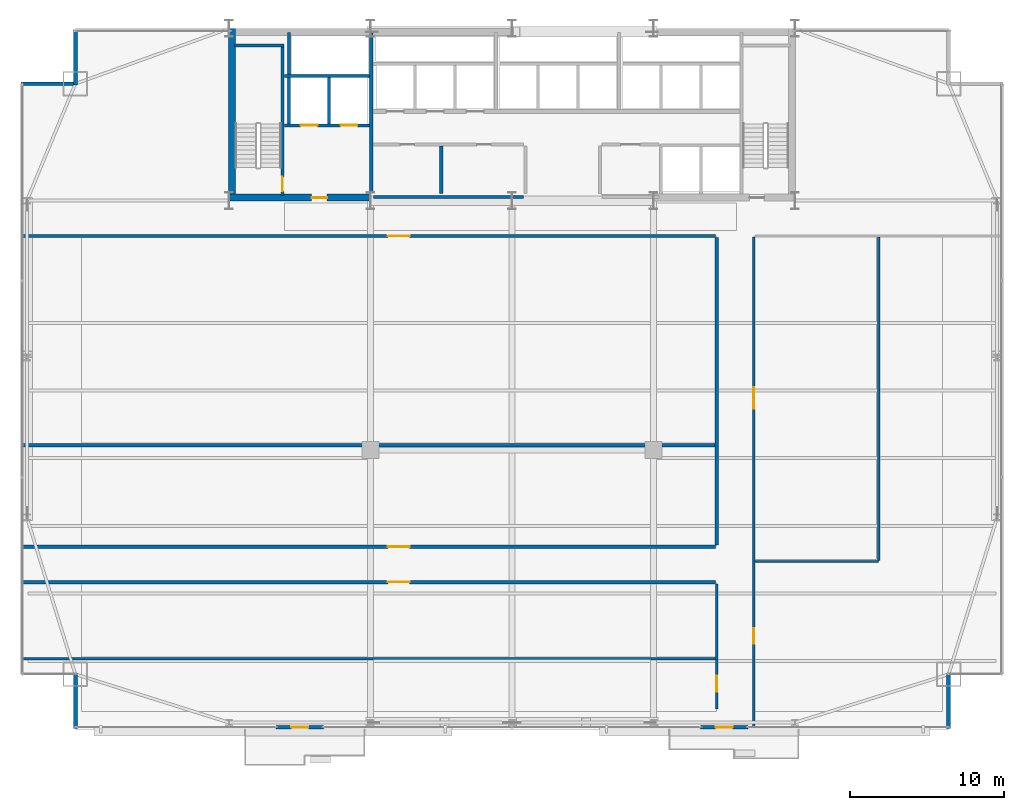
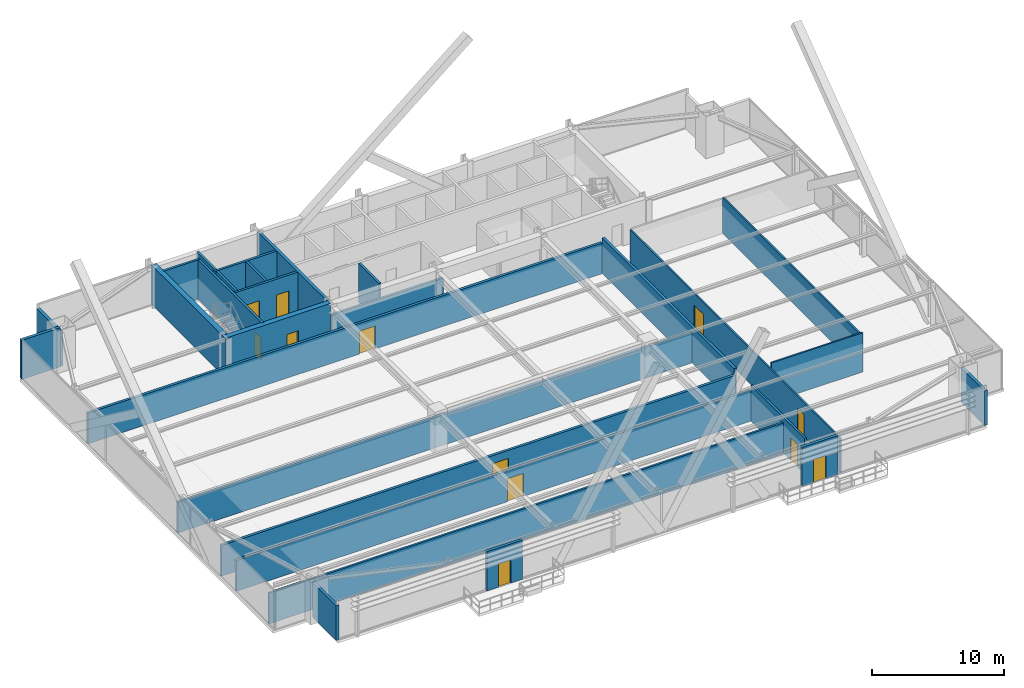
# One storey, part 28 of 32: 27 walls, 12 doors, 12 openings.
"""IFC4 building model written with IfcOpenShell, lengths in metres."""

import ifcopenshell
import ifcopenshell.guid

model = None  # the IFC model being written
_history = None  # IfcOwnerHistory: only IFC2X3 demands one
_inside = {}  # id of a spatial element -> (the spatial element, [elements in it])
_under = {}  # id of a project, library or spatial element -> (it, [spatial elements below it])
_declared = {}  # id of a project -> (the project, [libraries it declares])
_typed = {}  # id of a type object -> (the type object, [elements of that type])
_made_of = {}  # id of a material, layer set ... -> (it, [elements and type objects made of it])


def new_model(schema):
    """Start an empty IFC model of exactly this schema.

    Asked for "IFC4X3", IfcOpenShell would pick the latest addendum, in which some entities
    have other attributes; the version numbers below select the first issue.
    IFC2X3 requires an IfcOwnerHistory on every rooted entity: one is made here for all.
    """
    global model, _history
    if schema == "IFC4X3":
        model = ifcopenshell.file(schema_version=(4, 3, 0, 0))
    else:
        model = ifcopenshell.file(schema=schema)
    _inside.clear()
    _under.clear()
    _declared.clear()
    _typed.clear()
    _made_of.clear()
    _history = None
    if model.schema == "IFC2X3":
        org = make("IfcOrganization", Name="unknown")
        user = make(
            "IfcPersonAndOrganization",
            ThePerson=make("IfcPerson", FamilyName="unknown"),
            TheOrganization=org,
        )
        app = make(
            "IfcApplication",
            ApplicationDeveloper=org,
            Version="unknown",
            ApplicationFullName="unknown",
            ApplicationIdentifier="unknown",
        )
        _history = make(
            "IfcOwnerHistory",
            OwningUser=user,
            OwningApplication=app,
            ChangeAction="ADDED",
            CreationDate=0,
        )
    return model


def make(cls, **values):
    """One entity of the class cls with the attributes given. An attribute that is None is left unset."""
    return model.create_entity(
        cls, **{name: value for name, value in values.items() if value is not None}
    )


def rooted(cls, **values):
    """An entity with a GlobalId (a new one), such as an element, a storey or a relation."""
    return make(cls, GlobalId=ifcopenshell.guid.new(), OwnerHistory=_history, **values)


def si_unit(unit_type, name, prefix=None):
    """IfcSIUnit, for example si_unit("LENGTHUNIT", "METRE", prefix="MILLI")."""
    return make("IfcSIUnit", UnitType=unit_type, Prefix=prefix, Name=name)


def assignment(units):
    """IfcUnitAssignment: the units of a project."""
    return None if units is None else make("IfcUnitAssignment", Units=units)


def point(xyz):
    """IfcCartesianPoint."""
    return None if xyz is None else make("IfcCartesianPoint", Coordinates=xyz)


def direction(xyz):
    """IfcDirection."""
    return None if xyz is None else make("IfcDirection", DirectionRatios=xyz)


def frame(location, z_axis=None, x_axis=None):
    """IfcAxis2Placement3D, a coordinate frame: its origin and axes. An axis left out is left unset."""
    return make(
        "IfcAxis2Placement3D",
        Location=point(location),
        Axis=direction(z_axis),
        RefDirection=direction(x_axis),
    )


def frame_2d(location, x_axis=None):
    """IfcAxis2Placement2D, a coordinate frame in the plane: its origin and x axis."""
    return make(
        "IfcAxis2Placement2D", Location=point(location), RefDirection=direction(x_axis)
    )


def origin():
    """The frame at (0, 0, 0) with its axes left unset."""
    return frame((0.0, 0.0, 0.0))


def place(relative_to, where):
    """IfcLocalPlacement: puts the frame where relative to a parent placement (None: the world)."""
    return make(
        "IfcLocalPlacement", PlacementRelTo=relative_to, RelativePlacement=where
    )


def context(
    kind, dimensions, precision=None, world=None, true_north=None, identifier=None
):
    """IfcGeometricRepresentationContext, for example the 3D "Model" context."""
    return make(
        "IfcGeometricRepresentationContext",
        ContextIdentifier=identifier,
        ContextType=kind,
        CoordinateSpaceDimension=dimensions,
        Precision=precision,
        WorldCoordinateSystem=world,
        TrueNorth=true_north,
    )


def subcontext(parent, identifier, kind, view, scale=None):
    """IfcGeometricRepresentationSubContext, for example "Body" below "Model"."""
    return make(
        "IfcGeometricRepresentationSubContext",
        ContextIdentifier=identifier,
        ContextType=kind,
        ParentContext=parent,
        TargetScale=scale,
        TargetView=view,
    )


def project(units=None, contexts=None):
    """IfcProject with its units and contexts."""
    return rooted(
        "IfcProject",
        Name="project",
        RepresentationContexts=contexts,
        UnitsInContext=assignment(units),
    )


def spatial(cls, under=None, at=None, **own):
    """A site, building, storey or space (cls), placed at a placement, below another one or the project."""
    s = rooted(cls, ObjectPlacement=at, **own)
    if under is not None:
        _under.setdefault(under.id(), (under, []))[1].append(s)
    return s


def profile(cls, at=None, kind="AREA", **sizes):
    """A parametric profile (cls). Its sizes go by their IFC names, for example OverallWidth=200.0."""
    return make(cls, ProfileType=kind, Position=at, **sizes)


def rectangle(**sizes):
    """IfcRectangleProfileDef."""
    return profile("IfcRectangleProfileDef", **sizes)


def extrude(swept, where, along, depth):
    """IfcExtrudedAreaSolid: the profile swept, set in the frame where, extruded along a direction by depth."""
    return make(
        "IfcExtrudedAreaSolid",
        SweptArea=swept,
        Position=where,
        ExtrudedDirection=direction(along),
        Depth=depth,
    )


def shape(context_of_items, identifier, shape_type, items):
    """IfcShapeRepresentation: the items that make up one representation, for example the "Body"."""
    return make(
        "IfcShapeRepresentation",
        ContextOfItems=context_of_items,
        RepresentationIdentifier=identifier,
        RepresentationType=shape_type,
        Items=items,
    )


def source(mapping_origin, context_of_items, identifier, shape_type, items):
    """IfcRepresentationMap: a shape defined once, which mapped items show again and again."""
    return make(
        "IfcRepresentationMap",
        MappingOrigin=mapping_origin,
        MappedRepresentation=shape(context_of_items, identifier, shape_type, items),
    )


def transform(
    local_origin,
    x_axis=None,
    y_axis=None,
    z_axis=None,
    scale=None,
    scale2=None,
    scale3=None,
    uniform=True,
):
    """IfcCartesianTransformationOperator3D, or its non-uniform kind. x_axis, y_axis, z_axis: its Axis1, 2, 3."""
    if uniform:
        return make(
            "IfcCartesianTransformationOperator3D",
            Axis1=direction(x_axis),
            Axis2=direction(y_axis),
            LocalOrigin=point(local_origin),
            Scale=scale,
            Axis3=direction(z_axis),
        )
    return make(
        "IfcCartesianTransformationOperator3DnonUniform",
        Axis1=direction(x_axis),
        Axis2=direction(y_axis),
        LocalOrigin=point(local_origin),
        Scale=scale,
        Axis3=direction(z_axis),
        Scale2=scale2,
        Scale3=scale3,
    )


def mapped(mapping_source, mapping_target):
    """IfcMappedItem: shows the shape of a source again, moved by a transform."""
    return make(
        "IfcMappedItem", MappingSource=mapping_source, MappingTarget=mapping_target
    )


def material(Name=None, Category=None):
    """IfcMaterial."""
    return make("IfcMaterial", Name=Name, Category=Category)


def layer(
    of_material, thickness, ventilated=None, Name=None, Category=None, Priority=None
):
    """IfcMaterialLayer: one layer of a wall or slab, of a material (None: an air gap)."""
    return make(
        "IfcMaterialLayer",
        Material=of_material,
        LayerThickness=thickness,
        IsVentilated=ventilated,
        Name=Name,
        Category=Category,
        Priority=Priority,
    )


def layer_set(layers, Name=None):
    """IfcMaterialLayerSet."""
    return make("IfcMaterialLayerSet", MaterialLayers=layers, LayerSetName=Name)


def made_of(thing, what):
    """Note that an element or type object is made of a material, layer set ...; save() writes the relation."""
    if what is not None:
        _made_of.setdefault(what.id(), (what, []))[1].append(thing)
    return thing


def type_object(cls, material=None, **own):
    """A type object (cls), such as IfcWallType, which elements share."""
    return made_of(rooted(cls, **own), material)


def type_shapes(of_type, sources):
    """Give a type object the sources (RepresentationMaps) that its elements show as mapped items."""
    of_type.RepresentationMaps = sources


def element(
    cls,
    number,
    at=None,
    inside=None,
    cuts=None,
    type_object=None,
    material=None,
    context=None,
    identifier="Body",
    shape_type=None,
    held_by="IfcProductDefinitionShape",
    body=None,
    shapes=None,
    **own,
):
    """One element of the class cls, such as IfcWall. Its Tag is "e" and its number.

    at: its placement. inside: the storey or other place that contains it. cuts: it is an
    opening in that element (IfcRelVoidsElement). A single representation is given by context,
    identifier, shape_type and body (its items); several are given by shapes. held_by: the class
    of the entity that holds the representations. save() writes the other relations.
    """
    e = rooted(cls, Tag="e%d" % number, ObjectPlacement=at, **own)
    if body is not None:
        shapes = [shape(context, identifier, shape_type, body)]
    if shapes is not None:
        e.Representation = make(held_by, Representations=shapes)
    if inside is not None:
        _inside.setdefault(inside.id(), (inside, []))[1].append(e)
    if cuts is not None:
        rooted(
            "IfcRelVoidsElement", RelatingBuildingElement=cuts, RelatedOpeningElement=e
        )
    if type_object is not None:
        _typed.setdefault(type_object.id(), (type_object, []))[1].append(e)
    return made_of(e, material)


def fill(opening, filler):
    """IfcRelFillsElement: the door or window that sits in an opening."""
    return rooted(
        "IfcRelFillsElement",
        RelatingOpeningElement=opening,
        RelatedBuildingElement=filler,
    )


def aggregate(whole, parts):
    """IfcRelAggregates: a whole, such as a stair, and the parts it consists of."""
    return rooted("IfcRelAggregates", RelatingObject=whole, RelatedObjects=parts)


def save(model, path):
    """Write the relations noted so far, then the file.

    IfcRelAggregates (storeys below a building ...), IfcRelContainedInSpatialStructure (elements
    in a storey), IfcRelDefinesByType, IfcRelAssociatesMaterial and IfcRelDeclares: one each for
    every whole, place, type object, material and project.
    """
    for whole, parts in _under.values():
        aggregate(whole, parts)
    for where, things in _inside.values():
        rooted(
            "IfcRelContainedInSpatialStructure",
            RelatedElements=things,
            RelatingStructure=where,
        )
    for kind, things in _typed.values():
        rooted("IfcRelDefinesByType", RelatedObjects=things, RelatingType=kind)
    for what, things in _made_of.values():
        rooted("IfcRelAssociatesMaterial", RelatedObjects=things, RelatingMaterial=what)
    for by, libraries in _declared.values():
        rooted("IfcRelDeclares", RelatingContext=by, RelatedDefinitions=libraries)
    model.write(path)


model = new_model("IFC4")

# Units and contexts
model_context = context("Model", 3, precision=1e-05, world=origin(), true_north=direction((0.0, 1.0)))
body_context = subcontext(model_context, "Body", "Model", "MODEL_VIEW")
ifc_project = project(units=[si_unit("LENGTHUNIT", "METRE"), si_unit("AREAUNIT", "SQUARE_METRE"), si_unit("VOLUMEUNIT", "CUBIC_METRE"), si_unit("PLANEANGLEUNIT", "RADIAN"), si_unit("MASSUNIT", "GRAM", prefix="KILO")], contexts=[model_context])

# Site, building, storey
site_placement = place(None, origin())
site = spatial("IfcSite", under=ifc_project, at=site_placement, CompositionType="ELEMENT")
building_placement = place(site_placement, origin())
building = spatial("IfcBuilding", under=site, at=building_placement, Name="Varnel Quay Broadcast Tower", CompositionType="ELEMENT")
storey_placement = place(building_placement, frame((0.0, 0.0, 43.199951171875)))
storey = spatial("IfcBuildingStorey", under=building, at=storey_placement, Name="L09", CompositionType="ELEMENT", Elevation=43.199951171875)

# Wall, opening, door
ifc_material_1 = material(Name="Concrete CSA A23.3 C50/60", Category="concrete")
ifc_layer_1 = layer(ifc_material_1, 0.199951171875, Name="Concrete CSA A23.3 C50/60")
ifc_layer_set_1 = layer_set([ifc_layer_1], Name="Concrete CSA A23.3 C50/60")
wall_type_1 = type_object("IfcWallType", Name="Wall_CoreShaftShear200", PredefinedType="SHEAR", material=ifc_layer_set_1)
wall_1_placement = place(storey_placement, frame((19.080078125, 35.949951171875, 0.0), z_axis=(0.0, 0.0, 1.0), x_axis=(0.0, 1.0, 0.0)))
wall_1 = element("IfcWall", 1, at=wall_1_placement, inside=storey, type_object=wall_type_1, Name="L09 Stair 1 East Structural Wall", PredefinedType="SHEAR", context=body_context, shape_type="SweptSolid", body=[
    extrude(rectangle(XDim=9.650146484375, YDim=0.199951171875, at=frame_2d((4.8251953125, 0.0))), origin(), (0.0, 0.0, 1.0), 3.650146484375),
])
opening_1_placement = place(wall_1_placement, frame((0.25, 0.0, 0.0)))
opening_1 = element("IfcOpeningElement", 2, at=opening_1_placement, cuts=wall_1, Name="Opening D-L09-S1", PredefinedType="OPENING", context=body_context, shape_type="SweptSolid", body=[
    extrude(rectangle(XDim=0.949951171875, YDim=2.10009765625, at=frame_2d((0.47509765625, 1.050048828125))), frame((0.0, 0.10986328125, 0.0), z_axis=(0.0, -1.0, 0.0), x_axis=(1.0, 0.0, 0.0)), (0.0, 0.0, 1.0), 0.219970703125),
])
ifc_material_2 = material(Name="Insulated Fire-Rated Hollow Steel Door", Category="steel")
door_type_1 = type_object("IfcDoorType", Name="Door_FireStair950", OperationType="NOTDEFINED", PredefinedType="DOOR", material=ifc_material_2)
shared_shape_1 = source(origin(), body_context, "Body", "SweptSolid", [
    extrude(rectangle(XDim=0.949951171875, YDim=2.10009765625, at=frame_2d((0.47509765625, 1.050048828125))), frame((0.0, 0.02490234375, 0.0), z_axis=(0.0, -1.0, 0.0), x_axis=(1.0, 0.0, 0.0)), (0.0, 0.0, 1.0), 0.050048828125),
])
type_shapes(door_type_1, [shared_shape_1])
door_1_placement = place(opening_1_placement, origin())
door_1 = element("IfcDoor", 3, at=door_1_placement, inside=storey, type_object=door_type_1, Name="L09 Stair 1 Fire Door", OperationType="SINGLE_SWING_RIGHT", OverallHeight=2.10009765625, OverallWidth=0.949951171875, PredefinedType="DOOR", context=body_context, shape_type="MappedRepresentation", body=[
    mapped(shared_shape_1, transform((0.0, 0.0, 0.0), x_axis=(1.0, 0.0, 0.0), y_axis=(0.0, 1.0, 0.0), z_axis=(0.0, 0.0, 1.0), scale=1.0)),
])
fill(opening_1, door_1)

# Wall
wall_2_placement = place(storey_placement, frame((15.949951171875, 45.679931640625, 0.0), z_axis=(0.0, 0.0, 1.0), x_axis=(1.0, 0.0, 0.0)))
element("IfcWall", 4, at=wall_2_placement, inside=storey, type_object=wall_type_1, Name="L09 Stair 1 North Structural Wall", PredefinedType="SHEAR", context=body_context, shape_type="SweptSolid", body=[
    extrude(rectangle(XDim=3.22998046875, YDim=0.199951171875, at=frame_2d((1.614990234375, 0.0))), origin(), (0.0, 0.0, 1.0), 3.650146484375),
])

# Wall, openings, doors
wall_3_placement = place(storey_placement, frame((19.199951171875, 40.5, 0.0), z_axis=(0.0, 0.0, 1.0), x_axis=(1.0, 0.0, 0.0)))
wall_3 = element("IfcWall", 5, at=wall_3_placement, inside=storey, type_object=wall_type_1, Name="L09 Firefighter Lift Shaft Front Wall", PredefinedType="SHEAR", context=body_context, shape_type="SweptSolid", body=[
    extrude(rectangle(XDim=5.52001953125, YDim=0.199951171875, at=frame_2d((2.760009765625, 0.0))), origin(), (0.0, 0.0, 1.0), 3.650146484375),
])
opening_2_placement = place(wall_3_placement, frame((1.050048828125, 0.0, 0.0)))
opening_2 = element("IfcOpeningElement", 6, at=opening_2_placement, cuts=wall_3, Name="Opening LD-L09-FE1", PredefinedType="OPENING", context=body_context, shape_type="SweptSolid", body=[
    extrude(rectangle(XDim=1.10009765625, YDim=2.179931640625, at=frame_2d((0.550048828125, 1.08984375))), frame((0.0, 0.10986328125, 0.0), z_axis=(0.0, -1.0, 0.0), x_axis=(1.0, 0.0, 0.0)), (0.0, 0.0, 1.0), 0.219970703125),
])
opening_3_placement = place(wall_3_placement, frame((3.64990234375, 0.0, 0.0)))
opening_3 = element("IfcOpeningElement", 7, at=opening_3_placement, cuts=wall_3, Name="Opening LD-L09-FE2", PredefinedType="OPENING", context=body_context, shape_type="SweptSolid", body=[
    extrude(rectangle(XDim=1.10009765625, YDim=2.179931640625, at=frame_2d((0.550048828125, 1.08984375))), frame((0.0, 0.10986328125, 0.0), z_axis=(0.0, -1.0, 0.0), x_axis=(1.0, 0.0, 0.0)), (0.0, 0.0, 1.0), 0.219970703125),
])
ifc_material_3 = material(Name="Brushed Bronze-Stainless Lift Car & Sliding Doors", Category="steel")
door_type_2 = type_object("IfcDoorType", Name="Door_LiftLanding1100", OperationType="SLIDING_TO_LEFT", PredefinedType="DOOR", material=ifc_material_3)
shared_shape_2 = source(origin(), body_context, "Body", "SweptSolid", [
    extrude(rectangle(XDim=1.10009765625, YDim=2.179931640625, at=frame_2d((0.550048828125, 1.08984375))), frame((0.0, 0.02490234375, 0.0), z_axis=(0.0, -1.0, 0.0), x_axis=(1.0, 0.0, 0.0)), (0.0, 0.0, 1.0), 0.050048828125),
])
type_shapes(door_type_2, [shared_shape_2])
door_2_placement = place(opening_2_placement, frame((1.10009765625, 0.0, 0.0), z_axis=(0.0, 0.0, 1.0), x_axis=(-1.0, 0.0, 0.0)))
door_2 = element("IfcDoor", 8, at=door_2_placement, inside=storey, type_object=door_type_2, Name="L09 Firefighter Lift FE-01 Landing Door", OperationType="SLIDING_TO_LEFT", OverallHeight=2.179931640625, OverallWidth=1.10009765625, PredefinedType="DOOR", context=body_context, shape_type="MappedRepresentation", body=[
    mapped(shared_shape_2, transform((0.0, 0.0, 0.0), x_axis=(1.0, 0.0, 0.0), y_axis=(0.0, 1.0, 0.0), z_axis=(0.0, 0.0, 1.0), scale=1.0)),
])
fill(opening_2, door_2)
door_3_placement = place(opening_3_placement, frame((1.10009765625, 0.0, 0.0), z_axis=(0.0, 0.0, 1.0), x_axis=(-1.0, 0.0, 0.0)))
door_3 = element("IfcDoor", 9, at=door_3_placement, inside=storey, type_object=door_type_2, Name="L09 Firefighter Lift FE-02 Landing Door", OperationType="SLIDING_TO_RIGHT", OverallHeight=2.179931640625, OverallWidth=1.10009765625, PredefinedType="DOOR", context=body_context, shape_type="MappedRepresentation", body=[
    mapped(shared_shape_2, transform((0.0, 0.0, 0.0), x_axis=(1.0, 0.0, 0.0), y_axis=(0.0, 1.0, 0.0), z_axis=(0.0, 0.0, 1.0), scale=1.0)),
])
fill(opening_3, door_3)

# Walls
wall_4_placement = place(storey_placement, frame((19.199951171875, 43.699951171875, 0.0), z_axis=(0.0, 0.0, 1.0), x_axis=(1.0, 0.0, 0.0)))
element("IfcWall", 10, at=wall_4_placement, inside=storey, type_object=wall_type_1, Name="L09 Firefighter Lift Shaft Rear Wall", PredefinedType="SHEAR", context=body_context, shape_type="SweptSolid", body=[
    extrude(rectangle(XDim=5.52001953125, YDim=0.199951171875, at=frame_2d((2.760009765625, 0.0))), origin(), (0.0, 0.0, 1.0), 3.650146484375),
])
wall_5_placement = place(storey_placement, frame((22.10009765625, 40.60009765625, 0.0), z_axis=(0.0, 0.0, 1.0), x_axis=(0.0, 1.0, 0.0)))
element("IfcWall", 11, at=wall_5_placement, inside=storey, type_object=wall_type_1, Name="L09 Firefighter Lift Shaft Divider", PredefinedType="SHEAR", context=body_context, shape_type="SweptSolid", body=[
    extrude(rectangle(XDim=3.0, YDim=0.199951171875, at=frame_2d((1.5, 0.0))), origin(), (0.0, 0.0, 1.0), 3.650146484375),
])
wall_6_placement = place(storey_placement, frame((19.5, 40.60009765625, 0.0), z_axis=(0.0, 0.0, 1.0), x_axis=(0.0, 1.0, 0.0)))
element("IfcWall", 12, at=wall_6_placement, inside=storey, type_object=wall_type_1, Name="L09 Firefighter Lift Shaft West Wall", PredefinedType="SHEAR", context=body_context, shape_type="SweptSolid", body=[
    extrude(rectangle(XDim=5.949951171875, YDim=0.199951171875, at=frame_2d((2.97509765625, 0.0))), origin(), (0.0, 0.0, 1.0), 3.650146484375),
])
ifc_layer_2 = layer(ifc_material_1, 0.25, Name="Concrete CSA A23.3 C50/60")
ifc_layer_set_2 = layer_set([ifc_layer_2], Name="Concrete CSA A23.3 C50/60")
wall_type_2 = type_object("IfcWallType", Name="Wall_CoreShaftShear250", PredefinedType="SHEAR", material=ifc_layer_set_2)
wall_7_placement = place(storey_placement, frame((24.85009765625, 36.050048828125, 0.0), z_axis=(0.0, 0.0, 1.0), x_axis=(0.0, 1.0, 0.0)))
element("IfcWall", 13, at=wall_7_placement, inside=storey, type_object=wall_type_2, Name="L09 Firefighting Lobby East Structural Wall", PredefinedType="SHEAR", context=body_context, shape_type="SweptSolid", body=[
    extrude(rectangle(XDim=10.449951171875, YDim=0.25, at=frame_2d((5.22509765625, 0.0))), origin(), (0.0, 0.0, 1.0), 3.650146484375),
])
ifc_material_4 = material(Name="Concrete CSA A23.3 C60/75", Category="concrete")
ifc_layer_3 = layer(ifc_material_4, 0.449951171875, Name="Concrete CSA A23.3 C60/75")
ifc_layer_set_3 = layer_set([ifc_layer_3], Name="Concrete CSA A23.3 C60/75")
wall_type_3 = type_object("IfcWallType", Name="Wall_CoreShearInt450", PredefinedType="SHEAR", material=ifc_layer_set_3)
wall_8_placement = place(storey_placement, frame((15.794921875, 35.570068359375, 0.0), z_axis=(0.0, 0.0, 1.0), x_axis=(0.0, 1.0, 0.0)))
element("IfcWall", 14, at=wall_8_placement, inside=storey, type_object=wall_type_3, Name="L09 West Core Shear Wall", PredefinedType="SHEAR", context=body_context, shape_type="SweptSolid", body=[
    extrude(rectangle(XDim=11.22998046875, YDim=0.449951171875, at=frame_2d((5.614990234375, 0.0))), origin(), (0.0, 0.0, 1.0), 3.650146484375),
])

# Wall, opening, door
wall_9_placement = place(storey_placement, frame((15.570068359375, 35.794921875, 0.0), z_axis=(0.0, 0.0, 1.0), x_axis=(1.0, 0.0, 0.0)))
wall_9 = element("IfcWall", 15, at=wall_9_placement, inside=storey, type_object=wall_type_3, Name="L09 South-West Core Shear Wall", PredefinedType="SHEAR", context=body_context, shape_type="SweptSolid", body=[
    extrude(rectangle(XDim=9.22998046875, YDim=0.449951171875, at=frame_2d((4.614990234375, 0.0))), origin(), (0.0, 0.0, 1.0), 3.650146484375),
])
opening_4_placement = place(wall_9_placement, frame((5.39990234375, 0.0, 0.0)))
opening_4 = element("IfcOpeningElement", 16, at=opening_4_placement, cuts=wall_9, Name="Opening D-L09-FFL", PredefinedType="OPENING", context=body_context, shape_type="SweptSolid", body=[
    extrude(rectangle(XDim=1.0, YDim=2.10009765625, at=frame_2d((0.5, 1.050048828125))), frame((0.0, 0.23486328125, 0.0), z_axis=(0.0, -1.0, 0.0), x_axis=(1.0, 0.0, 0.0)), (0.0, 0.0, 1.0), 0.469970703125),
])
door_type_3 = type_object("IfcDoorType", Name="Door_FireLobby1000", OperationType="NOTDEFINED", PredefinedType="DOOR", material=ifc_material_2)
shared_shape_3 = source(origin(), body_context, "Body", "SweptSolid", [
    extrude(rectangle(XDim=1.0, YDim=2.10009765625, at=frame_2d((0.5, 1.050048828125))), frame((0.0, 0.02490234375, 0.0), z_axis=(0.0, -1.0, 0.0), x_axis=(1.0, 0.0, 0.0)), (0.0, 0.0, 1.0), 0.050048828125),
])
type_shapes(door_type_3, [shared_shape_3])
door_4_placement = place(opening_4_placement, origin())
door_4 = element("IfcDoor", 17, at=door_4_placement, inside=storey, type_object=door_type_3, Name="L09 Firefighting Lobby Door", OperationType="SINGLE_SWING_LEFT", OverallHeight=2.10009765625, OverallWidth=1.0, PredefinedType="DOOR", context=body_context, shape_type="MappedRepresentation", body=[
    mapped(shared_shape_3, transform((0.0, 0.0, 0.0), x_axis=(1.0, 0.0, 0.0), y_axis=(0.0, 1.0, 0.0), z_axis=(0.0, 0.0, 1.0), scale=1.0)),
])
fill(opening_4, door_4)

ifc_material_5 = material(Name="Precast Architectural Concrete C40/50", Category="concrete")
ifc_layer_4 = layer(ifc_material_5, 0.25, Name="Precast Architectural Concrete C40/50")
ifc_layer_set_4 = layer_set([ifc_layer_4], Name="Precast Architectural Concrete C40/50")
wall_type_4 = type_object("IfcWallType", Name="Wall_ExtTerrace250", PredefinedType="SOLIDWALL", material=ifc_layer_set_4)
wall_10_placement = place(storey_placement, frame((18.64990234375, 1.35009765625, 0.0), z_axis=(0.0, 0.0, 1.0), x_axis=(1.0, 0.0, 0.0)))
wall_10 = element("IfcWall", 18, at=wall_10_placement, inside=storey, type_object=wall_type_4, Name="L09 Terrace Access Wall 1", PredefinedType="SOLIDWALL", context=body_context, shape_type="SweptSolid", body=[
    extrude(rectangle(XDim=3.10009765625, YDim=0.25, at=frame_2d((1.550048828125, 0.0))), origin(), (0.0, 0.0, 1.0), 3.630126953125),
])
opening_5_placement = place(wall_10_placement, frame((1.0, 0.0, 0.0)))
opening_5 = element("IfcOpeningElement", 19, at=opening_5_placement, cuts=wall_10, Name="Opening TD-091", PredefinedType="OPENING", context=body_context, shape_type="SweptSolid", body=[
    extrude(rectangle(XDim=1.10009765625, YDim=2.14990234375, at=frame_2d((0.550048828125, 1.074951171875))), frame((0.0, 0.135009765625, 0.0), z_axis=(0.0, -1.0, 0.0), x_axis=(1.0, 0.0, 0.0)), (0.0, 0.0, 1.0), 0.27001953125),
])
ifc_material_6 = material(Name="Anodised Bronze Aluminium 6063-T6", Category="aluminium")
door_type_4 = type_object("IfcDoorType", Name="Door_ExtTerrace1100", OperationType="NOTDEFINED", PredefinedType="DOOR", material=ifc_material_6)
shared_shape_4 = source(origin(), body_context, "Body", "SweptSolid", [
    extrude(rectangle(XDim=1.10009765625, YDim=2.14990234375, at=frame_2d((0.550048828125, 1.074951171875))), frame((0.0, 0.02490234375, 0.0), z_axis=(0.0, -1.0, 0.0), x_axis=(1.0, 0.0, 0.0)), (0.0, 0.0, 1.0), 0.050048828125),
])
type_shapes(door_type_4, [shared_shape_4])
door_5_placement = place(opening_5_placement, frame((1.10009765625, 0.0, 0.0), z_axis=(0.0, 0.0, 1.0), x_axis=(-1.0, 0.0, 0.0)))
door_5 = element("IfcDoor", 20, at=door_5_placement, inside=storey, type_object=door_type_4, Name="L09 Terrace Door TD-091", OperationType="SINGLE_SWING_LEFT", OverallHeight=2.14990234375, OverallWidth=1.10009765625, PredefinedType="DOOR", context=body_context, shape_type="MappedRepresentation", body=[
    mapped(shared_shape_4, transform((0.0, 0.0, 0.0), x_axis=(1.0, 0.0, 0.0), y_axis=(0.0, 1.0, 0.0), z_axis=(0.0, 0.0, 1.0), scale=1.0)),
])
fill(opening_5, door_5)

wall_11_placement = place(storey_placement, frame((46.25, 1.35009765625, 0.0), z_axis=(0.0, 0.0, 1.0), x_axis=(1.0, 0.0, 0.0)))
wall_11 = element("IfcWall", 21, at=wall_11_placement, inside=storey, type_object=wall_type_4, Name="L09 Terrace Access Wall 2", PredefinedType="SOLIDWALL", context=body_context, shape_type="SweptSolid", body=[
    extrude(rectangle(XDim=3.10009765625, YDim=0.25, at=frame_2d((1.550048828125, 0.0))), origin(), (0.0, 0.0, 1.0), 3.630126953125),
])
opening_6_placement = place(wall_11_placement, frame((1.0, 0.0, 0.0)))
opening_6 = element("IfcOpeningElement", 22, at=opening_6_placement, cuts=wall_11, Name="Opening TD-092", PredefinedType="OPENING", context=body_context, shape_type="SweptSolid", body=[
    extrude(rectangle(XDim=1.10009765625, YDim=2.14990234375, at=frame_2d((0.550048828125, 1.074951171875))), frame((0.0, 0.135009765625, 0.0), z_axis=(0.0, -1.0, 0.0), x_axis=(1.0, 0.0, 0.0)), (0.0, 0.0, 1.0), 0.27001953125),
])
door_6_placement = place(opening_6_placement, frame((1.10009765625, 0.0, 0.0), z_axis=(0.0, 0.0, 1.0), x_axis=(-1.0, 0.0, 0.0)))
door_6 = element("IfcDoor", 23, at=door_6_placement, inside=storey, type_object=door_type_4, Name="L09 Terrace Door TD-092", OperationType="SINGLE_SWING_RIGHT", OverallHeight=2.14990234375, OverallWidth=1.10009765625, PredefinedType="DOOR", context=body_context, shape_type="MappedRepresentation", body=[
    mapped(shared_shape_4, transform((0.0, 0.0, 0.0), x_axis=(1.0, 0.0, 0.0), y_axis=(0.0, 1.0, 0.0), z_axis=(0.0, 0.0, 1.0), scale=1.0)),
])
fill(opening_6, door_6)

# Walls
for number, where, z_axis, x_axis, name in (
    (24, (5.60009765625, 1.280029296875, 0.0), (0.0, 0.0, 1.0), (0.0, 1.0, 0.0), "L09 Mega-Column Notch Cladding Wall NSW2"),
    (25, (62.39990234375, 1.280029296875, 0.0), (0.0, 0.0, 1.0), (0.0, 1.0, 0.0), "L09 Mega-Column Notch Cladding Wall NSE2"),
):
    element("IfcWall", number, at=place(storey_placement, frame(where, z_axis=z_axis, x_axis=x_axis)), inside=storey, type_object=wall_type_4, Name=name, PredefinedType="SOLIDWALL", context=body_context, shape_type="SweptSolid", body=[
        extrude(rectangle(XDim=3.599853515625, YDim=0.25, at=frame_2d((1.7998046875, 0.0))), origin(), (0.0, 0.0, 1.0), 3.2080078125),
    ])
wall_12_placement = place(storey_placement, frame((2.080078125, 43.199951171875, 0.0), z_axis=(0.0, 0.0, 1.0), x_axis=(1.0, 0.0, 0.0)))
element("IfcWall", 26, at=wall_12_placement, inside=storey, type_object=wall_type_4, Name="L09 Mega-Column Notch Cladding Wall NNW1", PredefinedType="SOLIDWALL", context=body_context, shape_type="SweptSolid", body=[
    extrude(rectangle(XDim=3.389892578125, YDim=0.25, at=frame_2d((1.69482421875, 0.0))), origin(), (0.0, 0.0, 1.0), 3.630126953125),
])
wall_13_placement = place(storey_placement, frame((5.60009765625, 43.1201171875, 0.0), z_axis=(0.0, 0.0, 1.0), x_axis=(0.0, 1.0, 0.0)))
element("IfcWall", 27, at=wall_13_placement, inside=storey, type_object=wall_type_4, Name="L09 Mega-Column Notch Cladding Wall NNW2", PredefinedType="SOLIDWALL", context=body_context, shape_type="SweptSolid", body=[
    extrude(rectangle(XDim=3.599853515625, YDim=0.25, at=frame_2d((1.7998046875, 0.0))), origin(), (0.0, 0.0, 1.0), 3.2080078125),
])
ifc_material_7 = material(Name="Steel-Stud Fire-Rated Acoustic Gypsum Partition Assembly", Category="steel")
ifc_layer_5 = layer(ifc_material_7, 0.139892578125, Name="Steel-Stud Fire-Rated Acoustic Gypsum Partition Assembly")
ifc_layer_set_5 = layer_set([ifc_layer_5], Name="Steel-Stud Fire-Rated Acoustic Gypsum Partition Assembly")
wall_type_5 = type_object("IfcWallType", Name="Wall_Partition140", PredefinedType="PARTITIONING", material=ifc_layer_set_5)
wall_14_placement = place(storey_placement, frame((57.85009765625, 12.199951171875, 0.0), z_axis=(0.0, 0.0, 1.0), x_axis=(0.0, 1.0, 0.0)))
element("IfcWall", 28, at=wall_14_placement, inside=storey, type_object=wall_type_5, Name="L09 Talent Lounge 5 Partition 16", PredefinedType="PARTITIONING", context=body_context, shape_type="SweptSolid", body=[
    extrude(rectangle(XDim=21.030029296875, YDim=0.139892578125, at=frame_2d((10.51513671875, 0.0))), origin(), (0.0, 0.0, 1.0), 3.322021484375),
])
wall_15_placement = place(storey_placement, frame((49.820068359375, 12.1298828125, 0.0), z_axis=(0.0, 0.0, 1.0), x_axis=(1.0, 0.0, 0.0)))
element("IfcWall", 29, at=wall_15_placement, inside=storey, type_object=wall_type_5, Name="L09 Talent Lounge 5 Partition 17", PredefinedType="PARTITIONING", context=body_context, shape_type="SweptSolid", body=[
    extrude(rectangle(XDim=8.030029296875, YDim=0.139892578125, at=frame_2d((4.01513671875, 0.0))), origin(), (0.0, 0.0, 1.0), 3.630126953125),
])

# Wall, openings, doors
wall_16_placement = place(storey_placement, frame((49.719970703125, 1.3798828125, 0.0), z_axis=(0.0, 0.0, 1.0), x_axis=(0.0, 1.0, 0.0)))
wall_16 = element("IfcWall", 30, at=wall_16_placement, inside=storey, type_object=wall_type_5, Name="L09 Talent Lounge 5 Partition 18", PredefinedType="PARTITIONING", context=body_context, shape_type="SweptSolid", body=[
    extrude(rectangle(XDim=31.85009765625, YDim=0.139892578125, at=frame_2d((15.925048828125, 0.0))), origin(), (0.0, 0.0, 1.0), 3.2080078125),
])
opening_7_placement = place(wall_16_placement, frame((5.405029296875, 0.0, 0.0)))
opening_7 = element("IfcOpeningElement", 31, at=opening_7_placement, cuts=wall_16, Name="Opening D-L09-08", PredefinedType="OPENING", context=body_context, shape_type="SweptSolid", body=[
    extrude(rectangle(XDim=1.0, YDim=2.10009765625, at=frame_2d((0.5, 1.050048828125))), frame((0.0, 0.080078125, 0.0), z_axis=(0.0, -1.0, 0.0), x_axis=(1.0, 0.0, 0.0)), (0.0, 0.0, 1.0), 0.159912109375),
])
opening_8_placement = place(wall_16_placement, frame((20.68505859375, 0.0, 0.0)))
opening_8 = element("IfcOpeningElement", 32, at=opening_8_placement, cuts=wall_16, Name="Opening D-L09-09", PredefinedType="OPENING", context=body_context, shape_type="SweptSolid", body=[
    extrude(rectangle(XDim=1.39990234375, YDim=2.1201171875, at=frame_2d((0.699951171875, 1.06005859375))), frame((0.0, 0.080078125, 0.0), z_axis=(0.0, -1.0, 0.0), x_axis=(1.0, 0.0, 0.0)), (0.0, 0.0, 1.0), 0.159912109375),
])
ifc_material_8 = material(Name="Solid-Core Fire-Rated Acoustic Oak Veneer Door", Category="wood")
door_type_5 = type_object("IfcDoorType", Name="Door_Exec1000", OperationType="NOTDEFINED", PredefinedType="DOOR", material=ifc_material_8)
shared_shape_5 = source(origin(), body_context, "Body", "SweptSolid", [
    extrude(rectangle(XDim=1.0, YDim=2.10009765625, at=frame_2d((0.5, 1.050048828125))), frame((0.0, 0.02490234375, 0.0), z_axis=(0.0, -1.0, 0.0), x_axis=(1.0, 0.0, 0.0)), (0.0, 0.0, 1.0), 0.050048828125),
])
type_shapes(door_type_5, [shared_shape_5])
door_7_placement = place(opening_7_placement, frame((1.0, 0.0, 0.0), z_axis=(0.0, 0.0, 1.0), x_axis=(-1.0, 0.0, 0.0)))
door_7 = element("IfcDoor", 33, at=door_7_placement, inside=storey, type_object=door_type_5, Name="L09 Talent Lounge 5 Door D-L09-08", OperationType="SINGLE_SWING_LEFT", OverallHeight=2.10009765625, OverallWidth=1.0, PredefinedType="DOOR", context=body_context, shape_type="MappedRepresentation", body=[
    mapped(shared_shape_5, transform((0.0, 0.0, 0.0), x_axis=(1.0, 0.0, 0.0), y_axis=(0.0, 1.0, 0.0), z_axis=(0.0, 0.0, 1.0), scale=1.0)),
])
fill(opening_7, door_7)
door_type_6 = type_object("IfcDoorType", Name="Door_Gallery1400", OperationType="DOUBLE_DOOR_SINGLE_SWING", PredefinedType="DOOR", material=ifc_material_8)
shared_shape_6 = source(origin(), body_context, "Body", "SweptSolid", [
    extrude(rectangle(XDim=1.39990234375, YDim=2.1201171875, at=frame_2d((0.699951171875, 1.06005859375))), frame((0.0, 0.02490234375, 0.0), z_axis=(0.0, -1.0, 0.0), x_axis=(1.0, 0.0, 0.0)), (0.0, 0.0, 1.0), 0.050048828125),
])
type_shapes(door_type_6, [shared_shape_6])
door_8_placement = place(opening_8_placement, frame((1.39990234375, 0.0, 0.0), z_axis=(0.0, 0.0, 1.0), x_axis=(-1.0, 0.0, 0.0)))
door_8 = element("IfcDoor", 34, at=door_8_placement, inside=storey, type_object=door_type_6, Name="L09 Foley Sound Studio 6 Door D-L09-09", OperationType="DOUBLE_DOOR_SINGLE_SWING", OverallHeight=2.1201171875, OverallWidth=1.39990234375, PredefinedType="DOOR", context=body_context, shape_type="MappedRepresentation", body=[
    mapped(shared_shape_6, transform((0.0, 0.0, 0.0), x_axis=(1.0, 0.0, 0.0), y_axis=(0.0, 1.0, 0.0), z_axis=(0.0, 0.0, 1.0), scale=1.0)),
])
fill(opening_8, door_8)

# Wall, opening, door
ifc_layer_6 = layer(ifc_material_7, 0.175048828125, Name="Steel-Stud Fire-Rated Acoustic Gypsum Partition Assembly")
ifc_layer_set_6 = layer_set([ifc_layer_6], Name="Steel-Stud Fire-Rated Acoustic Gypsum Partition Assembly")
wall_type_6 = type_object("IfcWallType", Name="Wall_Partition175", PredefinedType="PARTITIONING", material=ifc_layer_set_6)
wall_17_placement = place(storey_placement, frame((47.320068359375, 2.550048828125, 0.0), z_axis=(0.0, 0.0, 1.0), x_axis=(0.0, 1.0, 0.0)))
wall_17 = element("IfcWall", 35, at=wall_17_placement, inside=storey, type_object=wall_type_6, Name="L09 Broadcast Seminar Room 1 Partition 8", PredefinedType="PARTITIONING", context=body_context, shape_type="SweptSolid", body=[
    extrude(rectangle(XDim=8.126953125, YDim=0.175048828125, at=frame_2d((4.0634765625, 0.0))), origin(), (0.0, 0.0, 1.0), 3.322021484375),
])
opening_9_placement = place(wall_17_placement, frame((1.10009765625, 0.0, 0.0)))
opening_9 = element("IfcOpeningElement", 36, at=opening_9_placement, cuts=wall_17, Name="Opening D-L09-04", PredefinedType="OPENING", context=body_context, shape_type="SweptSolid", body=[
    extrude(rectangle(XDim=1.050048828125, YDim=2.10009765625, at=frame_2d((0.52490234375, 1.050048828125))), frame((0.0, 0.09765625, 0.0), z_axis=(0.0, -1.0, 0.0), x_axis=(1.0, 0.0, 0.0)), (0.0, 0.0, 1.0), 0.195068359375),
])
door_type_7 = type_object("IfcDoorType", Name="Door_Meeting1050", OperationType="NOTDEFINED", PredefinedType="DOOR", material=ifc_material_8)
shared_shape_7 = source(origin(), body_context, "Body", "SweptSolid", [
    extrude(rectangle(XDim=1.050048828125, YDim=2.10009765625, at=frame_2d((0.52490234375, 1.050048828125))), frame((0.0, 0.02490234375, 0.0), z_axis=(0.0, -1.0, 0.0), x_axis=(1.0, 0.0, 0.0)), (0.0, 0.0, 1.0), 0.050048828125),
])
type_shapes(door_type_7, [shared_shape_7])
door_9_placement = place(opening_9_placement, origin())
door_9 = element("IfcDoor", 37, at=door_9_placement, inside=storey, type_object=door_type_7, Name="L09 Broadcast Seminar Room 1 Door D-L09-04", OperationType="SINGLE_SWING_RIGHT", OverallHeight=2.10009765625, OverallWidth=1.050048828125, PredefinedType="DOOR", context=body_context, shape_type="MappedRepresentation", body=[
    mapped(shared_shape_7, transform((0.0, 0.0, 0.0), x_axis=(1.0, 0.0, 0.0), y_axis=(0.0, 1.0, 0.0), z_axis=(0.0, 0.0, 1.0), scale=1.0)),
])
fill(opening_9, door_9)

# Wall
wall_18_placement = place(storey_placement, frame((2.179931640625, 5.800048828125, 0.0), z_axis=(0.0, 0.0, 1.0), x_axis=(1.0, 0.0, 0.0)))
element("IfcWall", 38, at=wall_18_placement, inside=storey, type_object=wall_type_6, Name="L09 Broadcast Seminar Room 1 Partition 9", PredefinedType="PARTITIONING", context=body_context, shape_type="SweptSolid", body=[
    extrude(rectangle(XDim=45.0400390625, YDim=0.175048828125, at=frame_2d((22.52001953125, 0.0))), origin(), (0.0, 0.0, 1.0), 2.85205078125),
])

# Wall, opening, door
ifc_layer_7 = layer(ifc_material_7, 0.22509765625, Name="Steel-Stud Fire-Rated Acoustic Gypsum Partition Assembly")
ifc_layer_set_7 = layer_set([ifc_layer_7], Name="Steel-Stud Fire-Rated Acoustic Gypsum Partition Assembly")
wall_type_7 = type_object("IfcWallType", Name="Wall_Partition225", PredefinedType="PARTITIONING", material=ifc_layer_set_7)
wall_19_placement = place(storey_placement, frame((2.179931640625, 10.7900390625, 0.0), z_axis=(0.0, 0.0, 1.0), x_axis=(1.0, 0.0, 0.0)))
wall_19 = element("IfcWall", 39, at=wall_19_placement, inside=storey, type_object=wall_type_7, Name="L09 Podcast Recording Studio 2 Partition 10", PredefinedType="PARTITIONING", context=body_context, shape_type="SweptSolid", body=[
    extrude(rectangle(XDim=45.0400390625, YDim=0.22509765625, at=frame_2d((22.52001953125, 0.0))), origin(), (0.0, 0.0, 1.0), 2.85205078125),
])
opening_10_placement = place(wall_19_placement, frame((23.7548828125, 0.0, 0.0)))
opening_10 = element("IfcOpeningElement", 40, at=opening_10_placement, cuts=wall_19, Name="Opening D-L09-05", PredefinedType="OPENING", context=body_context, shape_type="SweptSolid", body=[
    extrude(rectangle(XDim=1.39990234375, YDim=2.1201171875, at=frame_2d((0.699951171875, 1.06005859375))), frame((0.0, 0.12255859375, 0.0), z_axis=(0.0, -1.0, 0.0), x_axis=(1.0, 0.0, 0.0)), (0.0, 0.0, 1.0), 0.2451171875),
])
door_10_placement = place(opening_10_placement, frame((1.39990234375, 0.0, 0.0), z_axis=(0.0, 0.0, 1.0), x_axis=(-1.0, 0.0, 0.0)))
door_10 = element("IfcDoor", 41, at=door_10_placement, inside=storey, type_object=door_type_6, Name="L09 Podcast Recording Studio 2 Door D-L09-05", OperationType="DOUBLE_DOOR_SINGLE_SWING", OverallHeight=2.1201171875, OverallWidth=1.39990234375, PredefinedType="DOOR", context=body_context, shape_type="MappedRepresentation", body=[
    mapped(shared_shape_6, transform((0.0, 0.0, 0.0), x_axis=(1.0, 0.0, 0.0), y_axis=(0.0, 1.0, 0.0), z_axis=(0.0, 0.0, 1.0), scale=1.0)),
])
fill(opening_10, door_10)

wall_20_placement = place(storey_placement, frame((2.179931640625, 13.090087890625, 0.0), z_axis=(0.0, 0.0, 1.0), x_axis=(1.0, 0.0, 0.0)))
wall_20 = element("IfcWall", 42, at=wall_20_placement, inside=storey, type_object=wall_type_7, Name="L09 Foley Sound Studio 3 Partition 11", PredefinedType="PARTITIONING", context=body_context, shape_type="SweptSolid", body=[
    extrude(rectangle(XDim=45.0400390625, YDim=0.22509765625, at=frame_2d((22.52001953125, 0.0))), origin(), (0.0, 0.0, 1.0), 2.85205078125),
])
opening_11_placement = place(wall_20_placement, frame((23.7548828125, 0.0, 0.0)))
opening_11 = element("IfcOpeningElement", 43, at=opening_11_placement, cuts=wall_20, Name="Opening D-L09-06", PredefinedType="OPENING", context=body_context, shape_type="SweptSolid", body=[
    extrude(rectangle(XDim=1.39990234375, YDim=2.1201171875, at=frame_2d((0.699951171875, 1.06005859375))), frame((0.0, 0.12255859375, 0.0), z_axis=(0.0, -1.0, 0.0), x_axis=(1.0, 0.0, 0.0)), (0.0, 0.0, 1.0), 0.2451171875),
])
door_11_placement = place(opening_11_placement, origin())
door_11 = element("IfcDoor", 44, at=door_11_placement, inside=storey, type_object=door_type_6, Name="L09 Foley Sound Studio 3 Door D-L09-06", OperationType="DOUBLE_DOOR_SINGLE_SWING", OverallHeight=2.1201171875, OverallWidth=1.39990234375, PredefinedType="DOOR", context=body_context, shape_type="MappedRepresentation", body=[
    mapped(shared_shape_6, transform((0.0, 0.0, 0.0), x_axis=(1.0, 0.0, 0.0), y_axis=(0.0, 1.0, 0.0), z_axis=(0.0, 0.0, 1.0), scale=1.0)),
])
fill(opening_11, door_11)

# Walls
wall_21_placement = place(storey_placement, frame((47.320068359375, 13.202880859375, 0.0), z_axis=(0.0, 0.0, 1.0), x_axis=(0.0, 1.0, 0.0)))
element("IfcWall", 45, at=wall_21_placement, inside=storey, type_object=wall_type_7, Name="L09 Foley Sound Studio 3 Partition 12", PredefinedType="PARTITIONING", context=body_context, shape_type="SweptSolid", body=[
    extrude(rectangle(XDim=19.985107421875, YDim=0.22509765625, at=frame_2d((9.99267578125, 0.0))), origin(), (0.0, 0.0, 1.0), 3.322021484375),
])
wall_22_placement = place(storey_placement, frame((2.179931640625, 19.68994140625, 0.0), z_axis=(0.0, 0.0, 1.0), x_axis=(1.0, 0.0, 0.0)))
element("IfcWall", 46, at=wall_22_placement, inside=storey, type_object=wall_type_7, Name="L09 Foley Sound Studio 3 Partition 13", PredefinedType="PARTITIONING", context=body_context, shape_type="SweptSolid", body=[
    extrude(rectangle(XDim=45.0400390625, YDim=0.22509765625, at=frame_2d((22.52001953125, 0.0))), origin(), (0.0, 0.0, 1.0), 2.85205078125),
])

# Wall, opening, door
wall_23_placement = place(storey_placement, frame((2.179931640625, 33.300048828125, 0.0), z_axis=(0.0, 0.0, 1.0), x_axis=(1.0, 0.0, 0.0)))
wall_23 = element("IfcWall", 47, at=wall_23_placement, inside=storey, type_object=wall_type_7, Name="L09 Voice Booth 4 Partition 14", PredefinedType="PARTITIONING", context=body_context, shape_type="SweptSolid", body=[
    extrude(rectangle(XDim=45.0400390625, YDim=0.22509765625, at=frame_2d((22.52001953125, 0.0))), origin(), (0.0, 0.0, 1.0), 2.85205078125),
])
opening_12_placement = place(wall_23_placement, frame((23.7548828125, 0.0, 0.0)))
opening_12 = element("IfcOpeningElement", 48, at=opening_12_placement, cuts=wall_23, Name="Opening D-L09-07", PredefinedType="OPENING", context=body_context, shape_type="SweptSolid", body=[
    extrude(rectangle(XDim=1.39990234375, YDim=2.1201171875, at=frame_2d((0.699951171875, 1.06005859375))), frame((0.0, 0.12255859375, 0.0), z_axis=(0.0, -1.0, 0.0), x_axis=(1.0, 0.0, 0.0)), (0.0, 0.0, 1.0), 0.2451171875),
])
door_12_placement = place(opening_12_placement, frame((1.39990234375, 0.0, 0.0), z_axis=(0.0, 0.0, 1.0), x_axis=(-1.0, 0.0, 0.0)))
door_12 = element("IfcDoor", 49, at=door_12_placement, inside=storey, type_object=door_type_6, Name="L09 Voice Booth 4 Door D-L09-07", OperationType="DOUBLE_DOOR_SINGLE_SWING", OverallHeight=2.1201171875, OverallWidth=1.39990234375, PredefinedType="DOOR", context=body_context, shape_type="MappedRepresentation", body=[
    mapped(shared_shape_6, transform((0.0, 0.0, 0.0), x_axis=(1.0, 0.0, 0.0), y_axis=(0.0, 1.0, 0.0), z_axis=(0.0, 0.0, 1.0), scale=1.0)),
])
fill(opening_12, door_12)

# Walls
ifc_material_9 = material(Name="Fire-Rated Moisture-Resistant Plumbing Chase Partition")
ifc_layer_8 = layer(ifc_material_9, 0.199951171875, Name="Fire-Rated Moisture-Resistant Plumbing Chase Partition")
ifc_layer_set_8 = layer_set([ifc_layer_8], Name="Fire-Rated Moisture-Resistant Plumbing Chase Partition")
wall_type_8 = type_object("IfcWallType", Name="Wall_Plumbing200", PredefinedType="PLUMBINGWALL", material=ifc_layer_set_8)
wall_24_placement = place(storey_placement, frame((25.0, 35.824951171875, 0.0), z_axis=(0.0, 0.0, 1.0), x_axis=(1.0, 0.0, 0.0)))
element("IfcWall", 50, at=wall_24_placement, inside=storey, type_object=wall_type_8, Name="L09 Accessible Washroom Partition 1", PredefinedType="PLUMBINGWALL", context=body_context, shape_type="SweptSolid", body=[
    extrude(rectangle(XDim=9.75, YDim=0.199951171875, at=frame_2d((4.875, 0.0))), origin(), (0.0, 0.0, 1.0), 2.425048828125),
])
wall_25_placement = place(storey_placement, frame((29.39990234375, 36.050048828125, 0.0), z_axis=(0.0, 0.0, 1.0), x_axis=(0.0, 1.0, 0.0)))
element("IfcWall", 51, at=wall_25_placement, inside=storey, type_object=wall_type_8, Name="L09 Accessible Washroom Partition 2", PredefinedType="PLUMBINGWALL", context=body_context, shape_type="SweptSolid", body=[
    extrude(rectangle(XDim=3.099853515625, YDim=0.199951171875, at=frame_2d((1.5498046875, 0.0))), origin(), (0.0, 0.0, 1.0), 3.630126953125),
])

save(model, "model.ifc")
